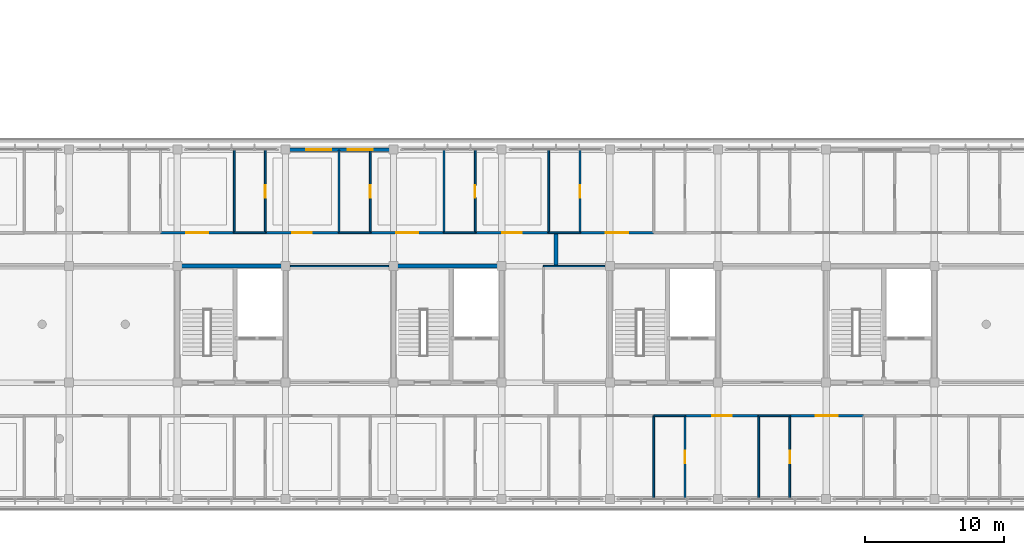
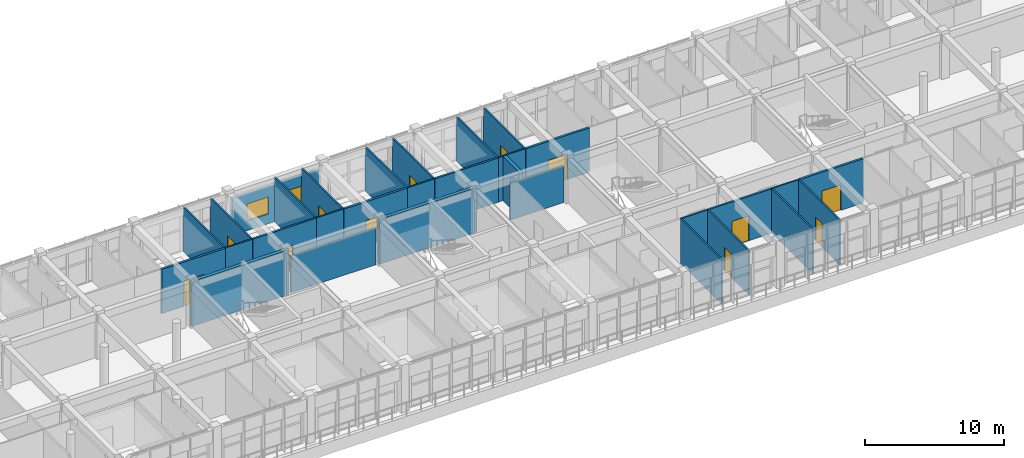
# One storey, part 52 of 63: 31 walls, 13 doors, 2 windows, 15 openings.
"""IFC4 building model written with IfcOpenShell, lengths in metres."""

from ifc_helpers import new_model, si_unit, direction, frame, frame_2d, origin, place, context, subcontext, project, spatial, rectangle, extrude, material, layer, layer_set, type_object, element, fill, save


model = new_model("IFC4")

# Units and contexts
model_context = context("Model", 3, precision=1e-05, world=origin(), true_north=direction((0.0, 1.0)))
body_context = subcontext(model_context, "Body", "Model", "MODEL_VIEW")
ifc_project = project(units=[si_unit("LENGTHUNIT", "METRE"), si_unit("AREAUNIT", "SQUARE_METRE"), si_unit("VOLUMEUNIT", "CUBIC_METRE"), si_unit("PLANEANGLEUNIT", "RADIAN"), si_unit("MASSUNIT", "GRAM", prefix="KILO")], contexts=[model_context])

# Site, building, storey
site_placement = place(None, origin())
site = spatial("IfcSite", under=ifc_project, at=site_placement, CompositionType="ELEMENT")
building_placement = place(site_placement, origin())
building = spatial("IfcBuilding", under=site, at=building_placement, Name="Zizhar Promenade General Hospital", CompositionType="ELEMENT")
storey_placement = place(building_placement, frame((0.0, 0.0, 18.0)))
storey = spatial("IfcBuildingStorey", under=building, at=storey_placement, Name="L04", CompositionType="ELEMENT", Elevation=18.0)

# Wall, openings, windows
ifc_material_1 = material(Name="Precast concrete C40/50", Category="concrete")
ifc_layer_1 = layer(ifc_material_1, 0.260009765625)
ifc_layer_set_1 = layer_set([ifc_layer_1], Name="Precast concrete C40/50")
wall_type_1 = type_object("IfcWallType", Name="EW-PC-260", PredefinedType="STANDARD", material=ifc_layer_set_1)
wall_1_placement = place(storey_placement, frame((54.889892578125, 25.199951171875, 0.0), z_axis=(0.0, 0.0, 1.0), x_axis=(1.0, 0.0, 0.0)))
wall_1 = element("IfcWall", 1, at=wall_1_placement, inside=storey, type_object=wall_type_1, Name="Ward Precast Ribbon Pier L04-8-4", PredefinedType="STANDARD", context=body_context, shape_type="SweptSolid", body=[
    extrude(rectangle(XDim=7.22021484375, YDim=0.260009765625, at=frame_2d((3.610107421875, 0.0))), origin(), (0.0, 0.0, 1.0), 3.2548828125),
])
opening_1_placement = place(wall_1_placement, frame((1.206787109375, 0.0, 0.85009765625)))
opening_1 = element("IfcOpeningElement", 2, at=opening_1_placement, cuts=wall_1, Name="Opening W-03", PredefinedType="OPENING", context=body_context, shape_type="SweptSolid", body=[
    extrude(rectangle(XDim=1.800048828125, YDim=1.5, at=frame_2d((0.89990234375, 0.75))), frame((0.0, 0.14013671875, 0.0), z_axis=(0.0, -1.0, 0.0), x_axis=(1.0, 0.0, 0.0)), (0.0, 0.0, 1.0), 0.280029296875),
])
opening_2_placement = place(wall_1_placement, frame((4.21337890625, 0.0, 0.85009765625)))
opening_2 = element("IfcOpeningElement", 3, at=opening_2_placement, cuts=wall_1, Name="Opening W-03", PredefinedType="OPENING", context=body_context, shape_type="SweptSolid", body=[
    extrude(rectangle(XDim=1.800048828125, YDim=1.5, at=frame_2d((0.89990234375, 0.75))), frame((0.0, 0.14013671875, 0.0), z_axis=(0.0, -1.0, 0.0), x_axis=(1.0, 0.0, 0.0)), (0.0, 0.0, 1.0), 0.280029296875),
])
ifc_material_2 = material(Name="Anodised aluminium 6063-T6 and low-E glass", Category="aluminium")
window_type = type_object("IfcWindowType", Name="WIN-WARD-180x150", PartitioningType="DOUBLE_PANEL_VERTICAL", PredefinedType="WINDOW", material=ifc_material_2)
window_1_placement = place(opening_1_placement, origin())
window_1 = element("IfcWindow", 4, at=window_1_placement, inside=storey, type_object=window_type, Name="Ward Precast Ribbon Pier L04-8-4 Window 1", OverallHeight=1.5, OverallWidth=1.800048828125, PartitioningType="SINGLE_PANEL", PredefinedType="WINDOW", context=body_context, shape_type="SweptSolid", body=[
    extrude(rectangle(XDim=1.800048828125, YDim=1.5, at=frame_2d((0.89990234375, 0.75))), frame((0.0, 0.030029296875, 0.0), z_axis=(0.0, -1.0, 0.0), x_axis=(1.0, 0.0, 0.0)), (0.0, 0.0, 1.0), 0.06005859375),
])
fill(opening_1, window_1)
window_2_placement = place(opening_2_placement, origin())
window_2 = element("IfcWindow", 5, at=window_2_placement, inside=storey, type_object=window_type, Name="Ward Precast Ribbon Pier L04-8-4 Window 2", OverallHeight=1.5, OverallWidth=1.800048828125, PartitioningType="SINGLE_PANEL", PredefinedType="WINDOW", context=body_context, shape_type="SweptSolid", body=[
    extrude(rectangle(XDim=1.800048828125, YDim=1.5, at=frame_2d((0.89990234375, 0.75))), frame((0.0, 0.030029296875, 0.0), z_axis=(0.0, -1.0, 0.0), x_axis=(1.0, 0.0, 0.0)), (0.0, 0.0, 1.0), 0.06005859375),
])
fill(opening_2, window_2)

# Wall
ifc_material_3 = material(Name="Concrete C35/45", Category="concrete")
ifc_layer_2 = layer(ifc_material_3, 0.284912109375)
ifc_layer_set_2 = layer_set([ifc_layer_2], Name="Concrete C35/45")
wall_type_2 = type_object("IfcWallType", Name="IW-COMP-285", PredefinedType="STANDARD", material=ifc_layer_set_2)
wall_2_placement = place(storey_placement, frame((74.10009765625, 16.800048828125, 0.0), z_axis=(0.0, 0.0, 1.0), x_axis=(0.0, 1.0, 0.0)))
element("IfcWall", 6, at=wall_2_placement, inside=storey, type_object=wall_type_2, Name="Horizontal Fire Compartment Wall North (L04)", PredefinedType="STANDARD", context=body_context, shape_type="SweptSolid", body=[
    extrude(rectangle(XDim=2.39990234375, YDim=0.284912109375, at=frame_2d((1.199951171875, 0.0))), origin(), (0.0, 0.0, 1.0), 3.89990234375),
])

# Wall, opening, door
ifc_material_4 = material(Name="Acoustic double-stud clinical partition")
ifc_layer_3 = layer(ifc_material_4, 0.179931640625)
ifc_layer_set_3 = layer_set([ifc_layer_3], Name="Acoustic double-stud clinical partition")
wall_type_3 = type_object("IfcWallType", Name="IW-ICU-180", PredefinedType="PARTITIONING", material=ifc_layer_set_3)
wall_3_placement = place(storey_placement, frame((45.593017578125, 19.199951171875, 0.0), z_axis=(0.0, 0.0, 1.0), x_axis=(1.0, 0.0, 0.0)))
wall_3 = element("IfcWall", 7, at=wall_3_placement, inside=storey, type_object=wall_type_3, Name="Intensive Care Step-Down L04-N03 S Partition", PredefinedType="PARTITIONING", context=body_context, shape_type="SweptSolid", body=[
    extrude(rectangle(XDim=5.296875, YDim=0.179931640625, at=frame_2d((2.6484375, 0.0))), origin(), (0.0, 0.0, 1.0), 3.89990234375),
])
opening_3_placement = place(wall_3_placement, frame((1.848388671875, 0.0, 0.0)))
opening_3 = element("IfcOpeningElement", 8, at=opening_3_placement, cuts=wall_3, Name="Opening D-05", PredefinedType="OPENING", context=body_context, shape_type="SweptSolid", body=[
    extrude(rectangle(XDim=1.60009765625, YDim=2.25, at=frame_2d((0.800048828125, 1.125))), frame((0.0, 0.10009765625, 0.0), z_axis=(0.0, -1.0, 0.0), x_axis=(1.0, 0.0, 0.0)), (0.0, 0.0, 1.0), 0.199951171875),
])
ifc_material_5 = material(Name="Anodised aluminium and clinical glass", Category="aluminium")
door_type_1 = type_object("IfcDoorType", Name="DR-ICU-GLZ-160x225", OperationType="SLIDING_TO_RIGHT", PredefinedType="DOOR", material=ifc_material_5)
door_1_placement = place(opening_3_placement, origin())
door_1 = element("IfcDoor", 9, at=door_1_placement, inside=storey, type_object=door_type_1, Name="Intensive Care Step-Down L04-N03 Door", OperationType="SLIDING_TO_RIGHT", OverallHeight=2.25, OverallWidth=1.60009765625, PredefinedType="DOOR", context=body_context, shape_type="SweptSolid", body=[
    extrude(rectangle(XDim=1.60009765625, YDim=2.25, at=frame_2d((0.800048828125, 1.125))), frame((0.0, 0.02490234375, 0.0), z_axis=(0.0, -1.0, 0.0), x_axis=(1.0, 0.0, 0.0)), (0.0, 0.0, 1.0), 0.050048828125),
])
fill(opening_3, door_1)

wall_4_placement = place(storey_placement, frame((60.72705078125, 19.199951171875, 0.0), z_axis=(0.0, 0.0, 1.0), x_axis=(1.0, 0.0, 0.0)))
wall_4 = element("IfcWall", 10, at=wall_4_placement, inside=storey, type_object=wall_type_3, Name="Intensive Care Step-Down L04-N05 S Partition", PredefinedType="PARTITIONING", context=body_context, shape_type="SweptSolid", body=[
    extrude(rectangle(XDim=5.2958984375, YDim=0.179931640625, at=frame_2d((2.64794921875, 0.0))), origin(), (0.0, 0.0, 1.0), 3.89990234375),
])
opening_4_placement = place(wall_4_placement, frame((1.847900390625, 0.0, 0.0)))
opening_4 = element("IfcOpeningElement", 11, at=opening_4_placement, cuts=wall_4, Name="Opening D-05", PredefinedType="OPENING", context=body_context, shape_type="SweptSolid", body=[
    extrude(rectangle(XDim=1.60009765625, YDim=2.25, at=frame_2d((0.800048828125, 1.125))), frame((0.0, 0.10009765625, 0.0), z_axis=(0.0, -1.0, 0.0), x_axis=(1.0, 0.0, 0.0)), (0.0, 0.0, 1.0), 0.199951171875),
])
door_2_placement = place(opening_4_placement, origin())
door_2 = element("IfcDoor", 12, at=door_2_placement, inside=storey, type_object=door_type_1, Name="Intensive Care Step-Down L04-N05 Door", OperationType="SLIDING_TO_RIGHT", OverallHeight=2.25, OverallWidth=1.60009765625, PredefinedType="DOOR", context=body_context, shape_type="SweptSolid", body=[
    extrude(rectangle(XDim=1.60009765625, YDim=2.25, at=frame_2d((0.800048828125, 1.125))), frame((0.0, 0.02490234375, 0.0), z_axis=(0.0, -1.0, 0.0), x_axis=(1.0, 0.0, 0.0)), (0.0, 0.0, 1.0), 0.050048828125),
])
fill(opening_4, door_2)

wall_5_placement = place(storey_placement, frame((75.860107421875, 19.199951171875, 0.0), z_axis=(0.0, 0.0, 1.0), x_axis=(1.0, 0.0, 0.0)))
wall_5 = element("IfcWall", 13, at=wall_5_placement, inside=storey, type_object=wall_type_3, Name="Intensive Care Step-Down L04-N07 S Partition", PredefinedType="PARTITIONING", context=body_context, shape_type="SweptSolid", body=[
    extrude(rectangle(XDim=5.296875, YDim=0.179931640625, at=frame_2d((2.6484375, 0.0))), origin(), (0.0, 0.0, 1.0), 3.89990234375),
])
opening_5_placement = place(wall_5_placement, frame((1.848388671875, 0.0, 0.0)))
opening_5 = element("IfcOpeningElement", 14, at=opening_5_placement, cuts=wall_5, Name="Opening D-05", PredefinedType="OPENING", context=body_context, shape_type="SweptSolid", body=[
    extrude(rectangle(XDim=1.60009765625, YDim=2.25, at=frame_2d((0.800048828125, 1.125))), frame((0.0, 0.10009765625, 0.0), z_axis=(0.0, -1.0, 0.0), x_axis=(1.0, 0.0, 0.0)), (0.0, 0.0, 1.0), 0.199951171875),
])
door_3_placement = place(opening_5_placement, origin())
door_3 = element("IfcDoor", 15, at=door_3_placement, inside=storey, type_object=door_type_1, Name="Intensive Care Step-Down L04-N07 Door", OperationType="SLIDING_TO_RIGHT", OverallHeight=2.25, OverallWidth=1.60009765625, PredefinedType="DOOR", context=body_context, shape_type="SweptSolid", body=[
    extrude(rectangle(XDim=1.60009765625, YDim=2.25, at=frame_2d((0.800048828125, 1.125))), frame((0.0, 0.02490234375, 0.0), z_axis=(0.0, -1.0, 0.0), x_axis=(1.0, 0.0, 0.0)), (0.0, 0.0, 1.0), 0.050048828125),
])
fill(opening_5, door_3)

wall_6_placement = place(storey_placement, frame((90.992919921875, 6.0, 0.0), z_axis=(0.0, 0.0, 1.0), x_axis=(1.0, 0.0, 0.0)))
wall_6 = element("IfcWall", 16, at=wall_6_placement, inside=storey, type_object=wall_type_3, Name="Intensive Care Step-Down L04-S09 N Partition", PredefinedType="PARTITIONING", context=body_context, shape_type="SweptSolid", body=[
    extrude(rectangle(XDim=5.297119140625, YDim=0.179931640625, at=frame_2d((2.6484375, 0.0))), origin(), (0.0, 0.0, 1.0), 3.89990234375),
])
opening_6_placement = place(wall_6_placement, frame((1.848388671875, 0.0, 0.0)))
opening_6 = element("IfcOpeningElement", 17, at=opening_6_placement, cuts=wall_6, Name="Opening D-05", PredefinedType="OPENING", context=body_context, shape_type="SweptSolid", body=[
    extrude(rectangle(XDim=1.60009765625, YDim=2.25, at=frame_2d((0.800048828125, 1.125))), frame((0.0, 0.10009765625, 0.0), z_axis=(0.0, -1.0, 0.0), x_axis=(1.0, 0.0, 0.0)), (0.0, 0.0, 1.0), 0.199951171875),
])
door_4_placement = place(opening_6_placement, origin())
door_4 = element("IfcDoor", 18, at=door_4_placement, inside=storey, type_object=door_type_1, Name="Intensive Care Step-Down L04-S09 Door", OperationType="SLIDING_TO_RIGHT", OverallHeight=2.25, OverallWidth=1.60009765625, PredefinedType="DOOR", context=body_context, shape_type="SweptSolid", body=[
    extrude(rectangle(XDim=1.60009765625, YDim=2.25, at=frame_2d((0.800048828125, 1.125))), frame((0.0, 0.02490234375, 0.0), z_axis=(0.0, -1.0, 0.0), x_axis=(1.0, 0.0, 0.0)), (0.0, 0.0, 1.0), 0.050048828125),
])
fill(opening_6, door_4)

# Walls
ifc_material_6 = material(Name="Clean utility gypsum partition")
ifc_layer_4 = layer(ifc_material_6, 0.114990234375)
ifc_layer_set_4 = layer_set([ifc_layer_4], Name="Clean utility gypsum partition")
wall_type_4 = type_object("IfcWallType", Name="IW-STR-115", PredefinedType="PARTITIONING", material=ifc_layer_set_4)
wall_7_placement = place(storey_placement, frame((54.9599609375, 16.800048828125, 0.0), z_axis=(0.0, 0.0, 1.0), x_axis=(1.0, 0.0, 0.0)))
element("IfcWall", 19, at=wall_7_placement, inside=storey, type_object=wall_type_4, Name="Nurse Station and Medication Room L04 N Partition", PredefinedType="PARTITIONING", context=body_context, shape_type="SweptSolid", body=[
    extrude(rectangle(XDim=7.080078125, YDim=0.114990234375, at=frame_2d((3.5400390625, 0.0))), origin(), (0.0, 0.0, 1.0), 3.219970703125),
])
wall_8_placement = place(storey_placement, frame((73.199951171875, 16.800048828125, 0.0), z_axis=(0.0, 0.0, 1.0), x_axis=(1.0, 0.0, 0.0)))
element("IfcWall", 20, at=wall_8_placement, inside=storey, type_object=wall_type_4, Name="Telemetry Monitoring Suite N Partition", PredefinedType="PARTITIONING", context=body_context, shape_type="SweptSolid", body=[
    extrude(rectangle(XDim=4.43994140625, YDim=0.114990234375, at=frame_2d((2.219970703125, 0.0))), origin(), (0.0, 0.0, 1.0), 3.219970703125),
])

# Wall, opening, door
ifc_material_7 = material(Name="Acoustic patient bedroom partition")
ifc_layer_5 = layer(ifc_material_7, 0.155029296875)
ifc_layer_set_5 = layer_set([ifc_layer_5], Name="Acoustic patient bedroom partition")
wall_type_5 = type_object("IfcWallType", Name="IW-WARD-155", PredefinedType="PARTITIONING", material=ifc_layer_set_5)
wall_9_placement = place(storey_placement, frame((53.159912109375, 19.199951171875, 0.0), z_axis=(0.0, 0.0, 1.0), x_axis=(1.0, 0.0, 0.0)))
wall_9 = element("IfcWall", 21, at=wall_9_placement, inside=storey, type_object=wall_type_5, Name="Acute Medical Inpatient Ward L04-N04 S Partition", PredefinedType="PARTITIONING", context=body_context, shape_type="SweptSolid", body=[
    extrude(rectangle(XDim=5.297119140625, YDim=0.155029296875, at=frame_2d((2.6484375, 0.0))), origin(), (0.0, 0.0, 1.0), 3.89990234375),
])
opening_7_placement = place(wall_9_placement, frame((1.948486328125, 0.0, 0.0)))
opening_7 = element("IfcOpeningElement", 22, at=opening_7_placement, cuts=wall_9, Name="Opening D-06", PredefinedType="OPENING", context=body_context, shape_type="SweptSolid", body=[
    extrude(rectangle(XDim=1.39990234375, YDim=2.199951171875, at=frame_2d((0.699951171875, 1.10009765625))), frame((0.0, 0.08740234375, 0.0), z_axis=(0.0, -1.0, 0.0), x_axis=(1.0, 0.0, 0.0)), (0.0, 0.0, 1.0), 0.175048828125),
])
ifc_material_8 = material(Name="Fire-rated timber hospital bed leaf", Category="wood")
door_type_2 = type_object("IfcDoorType", Name="DR-BED-WARD-140x220", OperationType="NOTDEFINED", PredefinedType="DOOR", material=ifc_material_8)
door_5_placement = place(opening_7_placement, origin())
door_5 = element("IfcDoor", 23, at=door_5_placement, inside=storey, type_object=door_type_2, Name="Acute Medical Inpatient Ward L04-N04 Door", OperationType="SINGLE_SWING_LEFT", OverallHeight=2.199951171875, OverallWidth=1.39990234375, PredefinedType="DOOR", context=body_context, shape_type="SweptSolid", body=[
    extrude(rectangle(XDim=1.39990234375, YDim=2.199951171875, at=frame_2d((0.699951171875, 1.10009765625))), frame((0.0, 0.02490234375, 0.0), z_axis=(0.0, -1.0, 0.0), x_axis=(1.0, 0.0, 0.0)), (0.0, 0.0, 1.0), 0.050048828125),
])
fill(opening_7, door_5)

wall_10_placement = place(storey_placement, frame((68.29296875, 19.199951171875, 0.0), z_axis=(0.0, 0.0, 1.0), x_axis=(1.0, 0.0, 0.0)))
wall_10 = element("IfcWall", 24, at=wall_10_placement, inside=storey, type_object=wall_type_5, Name="Acute Medical Inpatient Ward L04-N06 S Partition", PredefinedType="PARTITIONING", context=body_context, shape_type="SweptSolid", body=[
    extrude(rectangle(XDim=5.297119140625, YDim=0.155029296875, at=frame_2d((2.6484375, 0.0))), origin(), (0.0, 0.0, 1.0), 3.89990234375),
])
opening_8_placement = place(wall_10_placement, frame((1.948486328125, 0.0, 0.0)))
opening_8 = element("IfcOpeningElement", 25, at=opening_8_placement, cuts=wall_10, Name="Opening D-06", PredefinedType="OPENING", context=body_context, shape_type="SweptSolid", body=[
    extrude(rectangle(XDim=1.39990234375, YDim=2.199951171875, at=frame_2d((0.699951171875, 1.10009765625))), frame((0.0, 0.08740234375, 0.0), z_axis=(0.0, -1.0, 0.0), x_axis=(1.0, 0.0, 0.0)), (0.0, 0.0, 1.0), 0.175048828125),
])
door_6_placement = place(opening_8_placement, origin())
door_6 = element("IfcDoor", 26, at=door_6_placement, inside=storey, type_object=door_type_2, Name="Acute Medical Inpatient Ward L04-N06 Door", OperationType="SINGLE_SWING_LEFT", OverallHeight=2.199951171875, OverallWidth=1.39990234375, PredefinedType="DOOR", context=body_context, shape_type="SweptSolid", body=[
    extrude(rectangle(XDim=1.39990234375, YDim=2.199951171875, at=frame_2d((0.699951171875, 1.10009765625))), frame((0.0, 0.02490234375, 0.0), z_axis=(0.0, -1.0, 0.0), x_axis=(1.0, 0.0, 0.0)), (0.0, 0.0, 1.0), 0.050048828125),
])
fill(opening_8, door_6)

wall_11_placement = place(storey_placement, frame((83.427001953125, 6.0, 0.0), z_axis=(0.0, 0.0, 1.0), x_axis=(1.0, 0.0, 0.0)))
wall_11 = element("IfcWall", 27, at=wall_11_placement, inside=storey, type_object=wall_type_5, Name="Acute Medical Inpatient Ward L04-S08 N Partition", PredefinedType="PARTITIONING", context=body_context, shape_type="SweptSolid", body=[
    extrude(rectangle(XDim=5.2958984375, YDim=0.155029296875, at=frame_2d((2.64794921875, 0.0))), origin(), (0.0, 0.0, 1.0), 3.89990234375),
])
opening_9_placement = place(wall_11_placement, frame((1.947998046875, 0.0, 0.0)))
opening_9 = element("IfcOpeningElement", 28, at=opening_9_placement, cuts=wall_11, Name="Opening D-06", PredefinedType="OPENING", context=body_context, shape_type="SweptSolid", body=[
    extrude(rectangle(XDim=1.39990234375, YDim=2.199951171875, at=frame_2d((0.699951171875, 1.10009765625))), frame((0.0, 0.08740234375, 0.0), z_axis=(0.0, -1.0, 0.0), x_axis=(1.0, 0.0, 0.0)), (0.0, 0.0, 1.0), 0.175048828125),
])
door_7_placement = place(opening_9_placement, origin())
door_7 = element("IfcDoor", 29, at=door_7_placement, inside=storey, type_object=door_type_2, Name="Acute Medical Inpatient Ward L04-S08 Door", OperationType="SINGLE_SWING_RIGHT", OverallHeight=2.199951171875, OverallWidth=1.39990234375, PredefinedType="DOOR", context=body_context, shape_type="SweptSolid", body=[
    extrude(rectangle(XDim=1.39990234375, YDim=2.199951171875, at=frame_2d((0.699951171875, 1.10009765625))), frame((0.0, 0.02490234375, 0.0), z_axis=(0.0, -1.0, 0.0), x_axis=(1.0, 0.0, 0.0)), (0.0, 0.0, 1.0), 0.050048828125),
])
fill(opening_9, door_7)

# Walls
ifc_material_9 = material(Name="Moisture-resistant en-suite wet partition")
ifc_layer_6 = layer(ifc_material_9, 0.125)
ifc_layer_set_6 = layer_set([ifc_layer_6], Name="Moisture-resistant en-suite wet partition")
wall_type_6 = type_object("IfcWallType", Name="IW-WET-125", PredefinedType="PARTITIONING", material=ifc_layer_set_6)
wall_12_placement = place(storey_placement, frame((50.89990234375, 19.199951171875, 0.0), z_axis=(0.0, 0.0, 1.0), x_axis=(1.0, 0.0, 0.0)))
element("IfcWall", 30, at=wall_12_placement, inside=storey, type_object=wall_type_6, Name="En-Suite Patient Bathroom L04-N04 S Partition", PredefinedType="PARTITIONING", context=body_context, shape_type="SweptSolid", body=[
    extrude(rectangle(XDim=2.25, YDim=0.125, at=frame_2d((1.125, 0.0))), origin(), (0.0, 0.0, 1.0), 3.89990234375),
])
wall_13_placement = place(storey_placement, frame((50.89990234375, 19.199951171875, 0.0), z_axis=(0.0, 0.0, 1.0), x_axis=(0.0, 1.0, 0.0)))
element("IfcWall", 31, at=wall_13_placement, inside=storey, type_object=wall_type_6, Name="En-Suite Patient Bathroom L04-N04 W Partition", PredefinedType="PARTITIONING", context=body_context, shape_type="SweptSolid", body=[
    extrude(rectangle(XDim=5.955078125, YDim=0.125, at=frame_2d((2.9775390625, 0.0))), origin(), (0.0, 0.0, 1.0), 3.89990234375),
])

# Wall, opening, door
wall_14_placement = place(storey_placement, frame((53.14990234375, 19.199951171875, 0.0), z_axis=(0.0, 0.0, 1.0), x_axis=(0.0, 1.0, 0.0)))
wall_14 = element("IfcWall", 32, at=wall_14_placement, inside=storey, type_object=wall_type_6, Name="En-Suite Patient Bathroom L04-N04 E Partition", PredefinedType="PARTITIONING", context=body_context, shape_type="SweptSolid", body=[
    extrude(rectangle(XDim=5.955078125, YDim=0.125, at=frame_2d((2.9775390625, 0.0))), origin(), (0.0, 0.0, 1.0), 3.89990234375),
])
opening_10_placement = place(wall_14_placement, frame((2.517578125, 0.0, 0.0)))
opening_10 = element("IfcOpeningElement", 33, at=opening_10_placement, cuts=wall_14, Name="Opening D-18", PredefinedType="OPENING", context=body_context, shape_type="SweptSolid", body=[
    extrude(rectangle(XDim=0.919921875, YDim=2.10009765625, at=frame_2d((0.4599609375, 1.050048828125))), frame((0.0, 0.072509765625, 0.0), z_axis=(0.0, -1.0, 0.0), x_axis=(1.0, 0.0, 0.0)), (0.0, 0.0, 1.0), 0.14501953125),
])
ifc_material_10 = material(Name="Moisture-resistant timber en-suite leaf", Category="wood")
door_type_3 = type_object("IfcDoorType", Name="DR-ENS-STD-092x210", OperationType="NOTDEFINED", PredefinedType="DOOR", material=ifc_material_10)
door_8_placement = place(opening_10_placement, origin())
door_8 = element("IfcDoor", 34, at=door_8_placement, inside=storey, type_object=door_type_3, Name="En-Suite Patient Bathroom L04-N04 Door", OperationType="SINGLE_SWING_LEFT", OverallHeight=2.10009765625, OverallWidth=0.919921875, PredefinedType="DOOR", context=body_context, shape_type="SweptSolid", body=[
    extrude(rectangle(XDim=0.919921875, YDim=2.10009765625, at=frame_2d((0.4599609375, 1.050048828125))), frame((0.0, 0.02490234375, 0.0), z_axis=(0.0, -1.0, 0.0), x_axis=(1.0, 0.0, 0.0)), (0.0, 0.0, 1.0), 0.050048828125),
])
fill(opening_10, door_8)

# Walls
wall_15_placement = place(storey_placement, frame((58.466796875, 19.199951171875, 0.0), z_axis=(0.0, 0.0, 1.0), x_axis=(1.0, 0.0, 0.0)))
element("IfcWall", 35, at=wall_15_placement, inside=storey, type_object=wall_type_6, Name="En-Suite Patient Bathroom L04-N05 S Partition", PredefinedType="PARTITIONING", context=body_context, shape_type="SweptSolid", body=[
    extrude(rectangle(XDim=2.25, YDim=0.125, at=frame_2d((1.125, 0.0))), origin(), (0.0, 0.0, 1.0), 3.89990234375),
])
wall_16_placement = place(storey_placement, frame((58.466796875, 19.199951171875, 0.0), z_axis=(0.0, 0.0, 1.0), x_axis=(0.0, 1.0, 0.0)))
element("IfcWall", 36, at=wall_16_placement, inside=storey, type_object=wall_type_6, Name="En-Suite Patient Bathroom L04-N05 W Partition", PredefinedType="PARTITIONING", context=body_context, shape_type="SweptSolid", body=[
    extrude(rectangle(XDim=5.955078125, YDim=0.125, at=frame_2d((2.9775390625, 0.0))), origin(), (0.0, 0.0, 1.0), 3.89990234375),
])

# Wall, opening, door
wall_17_placement = place(storey_placement, frame((60.716796875, 19.199951171875, 0.0), z_axis=(0.0, 0.0, 1.0), x_axis=(0.0, 1.0, 0.0)))
wall_17 = element("IfcWall", 37, at=wall_17_placement, inside=storey, type_object=wall_type_6, Name="En-Suite Patient Bathroom L04-N05 E Partition", PredefinedType="PARTITIONING", context=body_context, shape_type="SweptSolid", body=[
    extrude(rectangle(XDim=5.955078125, YDim=0.125, at=frame_2d((2.9775390625, 0.0))), origin(), (0.0, 0.0, 1.0), 3.89990234375),
])
opening_11_placement = place(wall_17_placement, frame((2.517578125, 0.0, 0.0)))
opening_11 = element("IfcOpeningElement", 38, at=opening_11_placement, cuts=wall_17, Name="Opening D-18", PredefinedType="OPENING", context=body_context, shape_type="SweptSolid", body=[
    extrude(rectangle(XDim=0.919921875, YDim=2.10009765625, at=frame_2d((0.4599609375, 1.050048828125))), frame((0.0, 0.072509765625, 0.0), z_axis=(0.0, -1.0, 0.0), x_axis=(1.0, 0.0, 0.0)), (0.0, 0.0, 1.0), 0.14501953125),
])
door_9_placement = place(opening_11_placement, origin())
door_9 = element("IfcDoor", 39, at=door_9_placement, inside=storey, type_object=door_type_3, Name="En-Suite Patient Bathroom L04-N05 Door", OperationType="SINGLE_SWING_LEFT", OverallHeight=2.10009765625, OverallWidth=0.919921875, PredefinedType="DOOR", context=body_context, shape_type="SweptSolid", body=[
    extrude(rectangle(XDim=0.919921875, YDim=2.10009765625, at=frame_2d((0.4599609375, 1.050048828125))), frame((0.0, 0.02490234375, 0.0), z_axis=(0.0, -1.0, 0.0), x_axis=(1.0, 0.0, 0.0)), (0.0, 0.0, 1.0), 0.050048828125),
])
fill(opening_11, door_9)

# Walls
wall_18_placement = place(storey_placement, frame((66.033203125, 19.199951171875, 0.0), z_axis=(0.0, 0.0, 1.0), x_axis=(1.0, 0.0, 0.0)))
element("IfcWall", 40, at=wall_18_placement, inside=storey, type_object=wall_type_6, Name="En-Suite Patient Bathroom L04-N06 S Partition", PredefinedType="PARTITIONING", context=body_context, shape_type="SweptSolid", body=[
    extrude(rectangle(XDim=2.25, YDim=0.125, at=frame_2d((1.125, 0.0))), origin(), (0.0, 0.0, 1.0), 3.89990234375),
])
wall_19_placement = place(storey_placement, frame((66.033203125, 19.199951171875, 0.0), z_axis=(0.0, 0.0, 1.0), x_axis=(0.0, 1.0, 0.0)))
element("IfcWall", 41, at=wall_19_placement, inside=storey, type_object=wall_type_6, Name="En-Suite Patient Bathroom L04-N06 W Partition", PredefinedType="PARTITIONING", context=body_context, shape_type="SweptSolid", body=[
    extrude(rectangle(XDim=5.955078125, YDim=0.125, at=frame_2d((2.9775390625, 0.0))), origin(), (0.0, 0.0, 1.0), 3.89990234375),
])

# Wall, opening, door
wall_20_placement = place(storey_placement, frame((68.283203125, 19.199951171875, 0.0), z_axis=(0.0, 0.0, 1.0), x_axis=(0.0, 1.0, 0.0)))
wall_20 = element("IfcWall", 42, at=wall_20_placement, inside=storey, type_object=wall_type_6, Name="En-Suite Patient Bathroom L04-N06 E Partition", PredefinedType="PARTITIONING", context=body_context, shape_type="SweptSolid", body=[
    extrude(rectangle(XDim=5.955078125, YDim=0.125, at=frame_2d((2.9775390625, 0.0))), origin(), (0.0, 0.0, 1.0), 3.89990234375),
])
opening_12_placement = place(wall_20_placement, frame((2.517578125, 0.0, 0.0)))
opening_12 = element("IfcOpeningElement", 43, at=opening_12_placement, cuts=wall_20, Name="Opening D-18", PredefinedType="OPENING", context=body_context, shape_type="SweptSolid", body=[
    extrude(rectangle(XDim=0.919921875, YDim=2.10009765625, at=frame_2d((0.4599609375, 1.050048828125))), frame((0.0, 0.072509765625, 0.0), z_axis=(0.0, -1.0, 0.0), x_axis=(1.0, 0.0, 0.0)), (0.0, 0.0, 1.0), 0.14501953125),
])
door_10_placement = place(opening_12_placement, origin())
door_10 = element("IfcDoor", 44, at=door_10_placement, inside=storey, type_object=door_type_3, Name="En-Suite Patient Bathroom L04-N06 Door", OperationType="SINGLE_SWING_LEFT", OverallHeight=2.10009765625, OverallWidth=0.919921875, PredefinedType="DOOR", context=body_context, shape_type="SweptSolid", body=[
    extrude(rectangle(XDim=0.919921875, YDim=2.10009765625, at=frame_2d((0.4599609375, 1.050048828125))), frame((0.0, 0.02490234375, 0.0), z_axis=(0.0, -1.0, 0.0), x_axis=(1.0, 0.0, 0.0)), (0.0, 0.0, 1.0), 0.050048828125),
])
fill(opening_12, door_10)

# Walls
wall_21_placement = place(storey_placement, frame((73.60009765625, 19.199951171875, 0.0), z_axis=(0.0, 0.0, 1.0), x_axis=(1.0, 0.0, 0.0)))
element("IfcWall", 45, at=wall_21_placement, inside=storey, type_object=wall_type_6, Name="En-Suite Patient Bathroom L04-N07 S Partition", PredefinedType="PARTITIONING", context=body_context, shape_type="SweptSolid", body=[
    extrude(rectangle(XDim=2.25, YDim=0.125, at=frame_2d((1.125, 0.0))), origin(), (0.0, 0.0, 1.0), 3.89990234375),
])
wall_22_placement = place(storey_placement, frame((73.60009765625, 19.199951171875, 0.0), z_axis=(0.0, 0.0, 1.0), x_axis=(0.0, 1.0, 0.0)))
element("IfcWall", 46, at=wall_22_placement, inside=storey, type_object=wall_type_6, Name="En-Suite Patient Bathroom L04-N07 W Partition", PredefinedType="PARTITIONING", context=body_context, shape_type="SweptSolid", body=[
    extrude(rectangle(XDim=5.955078125, YDim=0.125, at=frame_2d((2.9775390625, 0.0))), origin(), (0.0, 0.0, 1.0), 3.89990234375),
])

# Wall, opening, door
wall_23_placement = place(storey_placement, frame((75.85009765625, 19.199951171875, 0.0), z_axis=(0.0, 0.0, 1.0), x_axis=(0.0, 1.0, 0.0)))
wall_23 = element("IfcWall", 47, at=wall_23_placement, inside=storey, type_object=wall_type_6, Name="En-Suite Patient Bathroom L04-N07 E Partition", PredefinedType="PARTITIONING", context=body_context, shape_type="SweptSolid", body=[
    extrude(rectangle(XDim=5.955078125, YDim=0.125, at=frame_2d((2.9775390625, 0.0))), origin(), (0.0, 0.0, 1.0), 3.89990234375),
])
opening_13_placement = place(wall_23_placement, frame((2.517578125, 0.0, 0.0)))
opening_13 = element("IfcOpeningElement", 48, at=opening_13_placement, cuts=wall_23, Name="Opening D-18", PredefinedType="OPENING", context=body_context, shape_type="SweptSolid", body=[
    extrude(rectangle(XDim=0.919921875, YDim=2.10009765625, at=frame_2d((0.4599609375, 1.050048828125))), frame((0.0, 0.072509765625, 0.0), z_axis=(0.0, -1.0, 0.0), x_axis=(1.0, 0.0, 0.0)), (0.0, 0.0, 1.0), 0.14501953125),
])
door_11_placement = place(opening_13_placement, origin())
door_11 = element("IfcDoor", 49, at=door_11_placement, inside=storey, type_object=door_type_3, Name="En-Suite Patient Bathroom L04-N07 Door", OperationType="SINGLE_SWING_LEFT", OverallHeight=2.10009765625, OverallWidth=0.919921875, PredefinedType="DOOR", context=body_context, shape_type="SweptSolid", body=[
    extrude(rectangle(XDim=0.919921875, YDim=2.10009765625, at=frame_2d((0.4599609375, 1.050048828125))), frame((0.0, 0.02490234375, 0.0), z_axis=(0.0, -1.0, 0.0), x_axis=(1.0, 0.0, 0.0)), (0.0, 0.0, 1.0), 0.050048828125),
])
fill(opening_13, door_11)

# Walls
wall_24_placement = place(storey_placement, frame((81.166748046875, 6.0, 0.0), z_axis=(0.0, 0.0, 1.0), x_axis=(1.0, 0.0, 0.0)))
element("IfcWall", 50, at=wall_24_placement, inside=storey, type_object=wall_type_6, Name="En-Suite Patient Bathroom L04-S08 N Partition", PredefinedType="PARTITIONING", context=body_context, shape_type="SweptSolid", body=[
    extrude(rectangle(XDim=2.25, YDim=0.125, at=frame_2d((1.125, 0.0))), origin(), (0.0, 0.0, 1.0), 3.89990234375),
])
wall_25_placement = place(storey_placement, frame((81.166748046875, 0.044921875, 0.0), z_axis=(0.0, 0.0, 1.0), x_axis=(0.0, 1.0, 0.0)))
element("IfcWall", 51, at=wall_25_placement, inside=storey, type_object=wall_type_6, Name="En-Suite Patient Bathroom L04-S08 W Partition", PredefinedType="PARTITIONING", context=body_context, shape_type="SweptSolid", body=[
    extrude(rectangle(XDim=5.955078125, YDim=0.125, at=frame_2d((2.9775390625, 0.0))), origin(), (0.0, 0.0, 1.0), 3.89990234375),
])

# Wall, opening, door
wall_26_placement = place(storey_placement, frame((83.416748046875, 0.044921875, 0.0), z_axis=(0.0, 0.0, 1.0), x_axis=(0.0, 1.0, 0.0)))
wall_26 = element("IfcWall", 52, at=wall_26_placement, inside=storey, type_object=wall_type_6, Name="En-Suite Patient Bathroom L04-S08 E Partition", PredefinedType="PARTITIONING", context=body_context, shape_type="SweptSolid", body=[
    extrude(rectangle(XDim=5.955078125, YDim=0.125, at=frame_2d((2.9775390625, 0.0))), origin(), (0.0, 0.0, 1.0), 3.89990234375),
])
opening_14_placement = place(wall_26_placement, frame((2.517578125, 0.0, 0.0)))
opening_14 = element("IfcOpeningElement", 53, at=opening_14_placement, cuts=wall_26, Name="Opening D-18", PredefinedType="OPENING", context=body_context, shape_type="SweptSolid", body=[
    extrude(rectangle(XDim=0.919921875, YDim=2.10009765625, at=frame_2d((0.4599609375, 1.050048828125))), frame((0.0, 0.072509765625, 0.0), z_axis=(0.0, -1.0, 0.0), x_axis=(1.0, 0.0, 0.0)), (0.0, 0.0, 1.0), 0.14501953125),
])
door_12_placement = place(opening_14_placement, origin())
door_12 = element("IfcDoor", 54, at=door_12_placement, inside=storey, type_object=door_type_3, Name="En-Suite Patient Bathroom L04-S08 Door", OperationType="SINGLE_SWING_RIGHT", OverallHeight=2.10009765625, OverallWidth=0.919921875, PredefinedType="DOOR", context=body_context, shape_type="SweptSolid", body=[
    extrude(rectangle(XDim=0.919921875, YDim=2.10009765625, at=frame_2d((0.4599609375, 1.050048828125))), frame((0.0, 0.02490234375, 0.0), z_axis=(0.0, -1.0, 0.0), x_axis=(1.0, 0.0, 0.0)), (0.0, 0.0, 1.0), 0.050048828125),
])
fill(opening_14, door_12)

# Walls
wall_27_placement = place(storey_placement, frame((88.7333984375, 6.0, 0.0), z_axis=(0.0, 0.0, 1.0), x_axis=(1.0, 0.0, 0.0)))
element("IfcWall", 55, at=wall_27_placement, inside=storey, type_object=wall_type_6, Name="En-Suite Patient Bathroom L04-S09 N Partition", PredefinedType="PARTITIONING", context=body_context, shape_type="SweptSolid", body=[
    extrude(rectangle(XDim=2.25, YDim=0.125, at=frame_2d((1.125, 0.0))), origin(), (0.0, 0.0, 1.0), 3.89990234375),
])
wall_28_placement = place(storey_placement, frame((88.7333984375, 0.044921875, 0.0), z_axis=(0.0, 0.0, 1.0), x_axis=(0.0, 1.0, 0.0)))
element("IfcWall", 56, at=wall_28_placement, inside=storey, type_object=wall_type_6, Name="En-Suite Patient Bathroom L04-S09 W Partition", PredefinedType="PARTITIONING", context=body_context, shape_type="SweptSolid", body=[
    extrude(rectangle(XDim=5.955078125, YDim=0.125, at=frame_2d((2.9775390625, 0.0))), origin(), (0.0, 0.0, 1.0), 3.89990234375),
])

# Wall, opening, door
wall_29_placement = place(storey_placement, frame((90.9833984375, 0.044921875, 0.0), z_axis=(0.0, 0.0, 1.0), x_axis=(0.0, 1.0, 0.0)))
wall_29 = element("IfcWall", 57, at=wall_29_placement, inside=storey, type_object=wall_type_6, Name="En-Suite Patient Bathroom L04-S09 E Partition", PredefinedType="PARTITIONING", context=body_context, shape_type="SweptSolid", body=[
    extrude(rectangle(XDim=5.955078125, YDim=0.125, at=frame_2d((2.9775390625, 0.0))), origin(), (0.0, 0.0, 1.0), 3.89990234375),
])
opening_15_placement = place(wall_29_placement, frame((2.517578125, 0.0, 0.0)))
opening_15 = element("IfcOpeningElement", 58, at=opening_15_placement, cuts=wall_29, Name="Opening D-18", PredefinedType="OPENING", context=body_context, shape_type="SweptSolid", body=[
    extrude(rectangle(XDim=0.919921875, YDim=2.10009765625, at=frame_2d((0.4599609375, 1.050048828125))), frame((0.0, 0.072509765625, 0.0), z_axis=(0.0, -1.0, 0.0), x_axis=(1.0, 0.0, 0.0)), (0.0, 0.0, 1.0), 0.14501953125),
])
door_13_placement = place(opening_15_placement, origin())
door_13 = element("IfcDoor", 59, at=door_13_placement, inside=storey, type_object=door_type_3, Name="En-Suite Patient Bathroom L04-S09 Door", OperationType="SINGLE_SWING_RIGHT", OverallHeight=2.10009765625, OverallWidth=0.919921875, PredefinedType="DOOR", context=body_context, shape_type="SweptSolid", body=[
    extrude(rectangle(XDim=0.919921875, YDim=2.10009765625, at=frame_2d((0.4599609375, 1.050048828125))), frame((0.0, 0.02490234375, 0.0), z_axis=(0.0, -1.0, 0.0), x_axis=(1.0, 0.0, 0.0)), (0.0, 0.0, 1.0), 0.050048828125),
])
fill(opening_15, door_13)

# Walls
ifc_material_11 = material(Name="Concrete C40/50", Category="concrete")
ifc_layer_7 = layer(ifc_material_11, 0.300048828125)
ifc_layer_set_7 = layer_set([ifc_layer_7], Name="Concrete C40/50")
wall_type_7 = type_object("IfcWallType", Name="WL-CORE-300", PredefinedType="SHEAR", material=ifc_layer_set_7)
for number, where, z_axis, x_axis, name in (
    (60, (46.64990234375, 16.800048828125, 0.0), (0.0, 0.0, 1.0), (1.0, 0.0, 0.0), "Core C2 North Shear Wall L04"),
    (61, (62.25, 16.800048828125, 0.0), (0.0, 0.0, 1.0), (1.0, 0.0, 0.0), "Core C3 North Shear Wall L04"),
):
    element("IfcWall", number, at=place(storey_placement, frame(where, z_axis=z_axis, x_axis=x_axis)), inside=storey, type_object=wall_type_7, Name=name, PredefinedType="SHEAR", context=body_context, shape_type="SweptSolid", body=[
        extrude(rectangle(XDim=8.10009765625, YDim=0.300048828125, at=frame_2d((4.050048828125, 0.0))), origin(), (0.0, 0.0, 1.0), 3.919921875),
    ])

save(model, "model.ifc")
